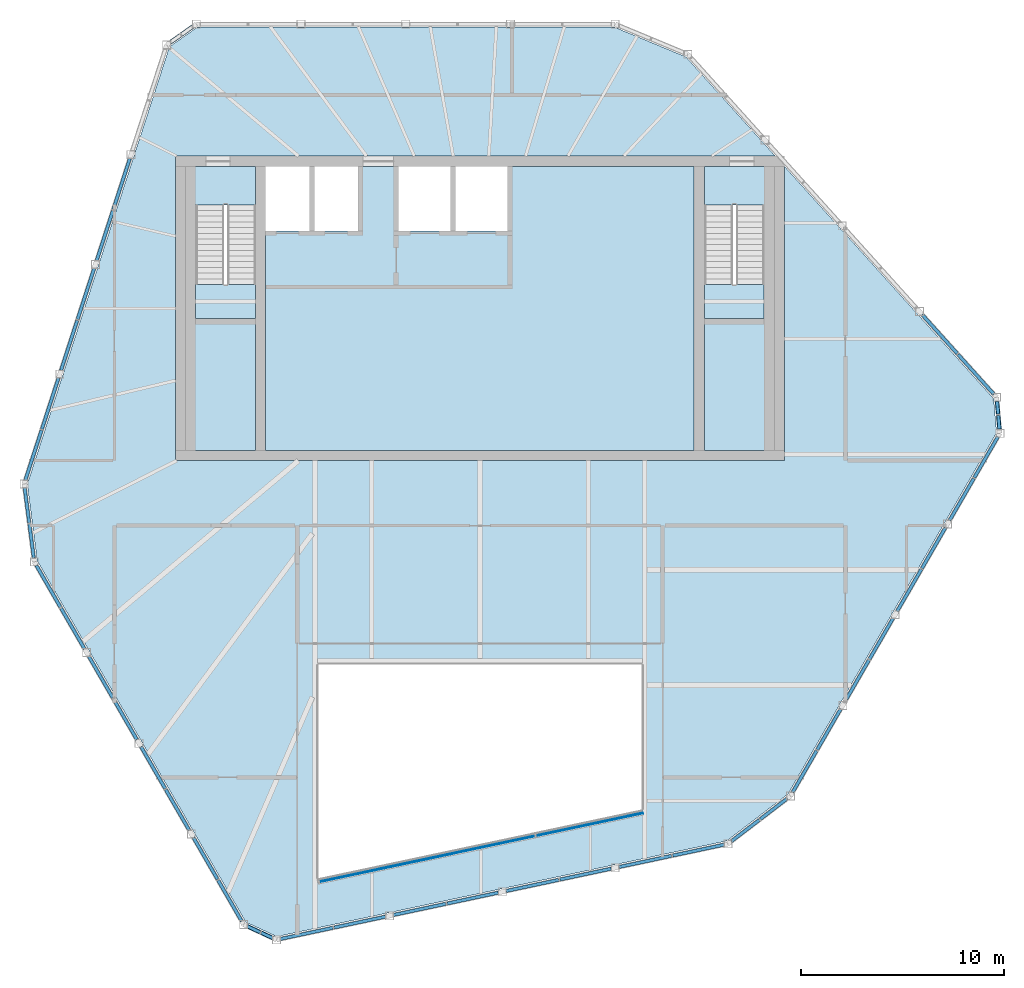
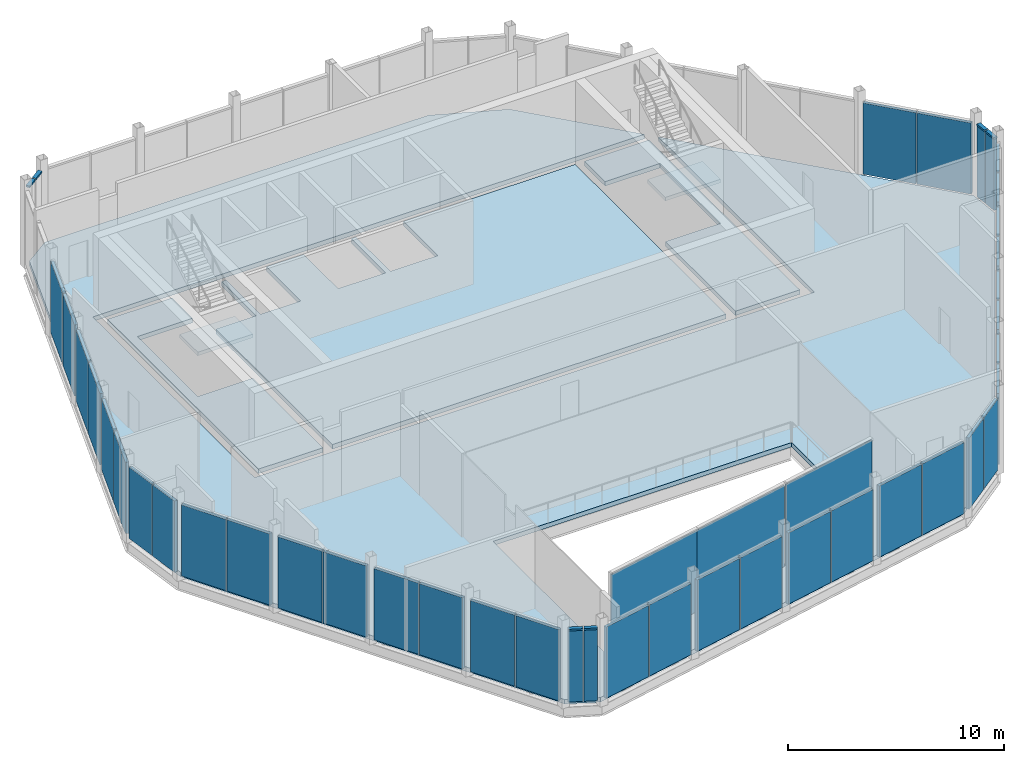
# One storey, part 7 of 12: 43 plates, 6 members, 6 slabs, 13 elements without a shape of their own.
"""IFC4 building model written with IfcOpenShell, lengths in metres."""

from ifc_helpers import new_model, si_unit, direction, frame, origin, origin_2d, place, context, subcontext, project, spatial, polyline, rectangle, outline, extrude, material, layer, layer_set, material_profile, profile_set, type_object, element, aggregate, save


model = new_model("IFC4")

# Units and contexts
model_context = context("Model", 3, precision=1e-05, world=origin(), true_north=direction((0.0, 1.0)))
body_context = subcontext(model_context, "Body", "Model", "MODEL_VIEW")
ifc_project = project(units=[si_unit("LENGTHUNIT", "METRE"), si_unit("AREAUNIT", "SQUARE_METRE"), si_unit("VOLUMEUNIT", "CUBIC_METRE"), si_unit("PLANEANGLEUNIT", "RADIAN"), si_unit("MASSUNIT", "GRAM", prefix="KILO")], contexts=[model_context])

# Site, building, storey
site_placement = place(None, origin())
site = spatial("IfcSite", under=ifc_project, at=site_placement, CompositionType="ELEMENT")
building_placement = place(site_placement, origin())
building = spatial("IfcBuilding", under=site, at=building_placement, Name="Isthmus Gate Tower", CompositionType="ELEMENT")
storey_placement = place(building_placement, frame((0.0, 0.0, 306.10009765625)))
storey = spatial("IfcBuildingStorey", under=building, at=storey_placement, Name="C2", CompositionType="ELEMENT", Elevation=306.10009765625)

# Curtain wall, members
ifc_material_1 = material(Name="Aluminium, pale champagne anodised", Category="aluminium")
ifc_layer_1 = layer(ifc_material_1, 0.199951171875)
ifc_layer_set_1 = layer_set([ifc_layer_1], Name="CW-2 LOUVRE CURTAIN WALL 200 DEEP")
curtain_wall_type_1 = type_object("IfcCurtainWallType", Name="CW-2 LOUVRE CURTAIN WALL 200 DEEP", PredefinedType="NOTDEFINED", material=ifc_layer_set_1)
curtain_wall_1_placement = place(storey_placement, origin())
curtain_wall_1 = element("IfcCurtainWall", 1, at=curtain_wall_1_placement, inside=storey, type_object=curtain_wall_type_1, Name="CW-2 E01 C2", PredefinedType="NOTDEFINED")
ifc_material_2 = material(Name="Aluminium, pale champagne anodised", Category="aluminium")
ifc_material_profile = material_profile(ifc_material_2, rectangle(XDim=0.199951171875, YDim=0.10009765625, at=origin_2d()), Name="200x100")
ifc_profile_set = profile_set([ifc_material_profile], Name="Aluminium, pale champagne anodised")
member_type = type_object("IfcMemberType", Name="CW-2 TRANSOM 200 X 100", PredefinedType="USERDEFINED", material=ifc_profile_set)
member_1_placement = place(storey_placement, frame((-14.135498046875, 21.383056640625, 4.083984375), z_axis=(-0.818010863048, -0.575202771148, 0.0), x_axis=(0.575202771148, -0.818010863048, 0.0)))
member_1 = element("IfcMember", 2, at=member_1_placement, type_object=member_type, Name="CW-2 transom", ObjectType="TRANSOM", PredefinedType="USERDEFINED", context=body_context, shape_type="SweptSolid", body=[
    extrude(rectangle(XDim=0.199951171875, YDim=0.10009765625, at=origin_2d()), origin(), (0.0, 0.0, 1.0), 0.686767578125),
])
member_2_placement = place(storey_placement, frame((-14.74609375, 20.953369140625, 4.083984375), z_axis=(-0.817948972464, -0.575290777299, 0.0), x_axis=(0.575290777299, -0.817948972464, 0.0)))
member_2 = element("IfcMember", 3, at=member_2_placement, type_object=member_type, Name="CW-2 transom", ObjectType="TRANSOM", PredefinedType="USERDEFINED", context=body_context, shape_type="SweptSolid", body=[
    extrude(rectangle(XDim=0.199951171875, YDim=0.10009765625, at=origin_2d()), origin(), (0.0, 0.0, 1.0), 0.626708984375),
])
aggregate(curtain_wall_1, [member_1, member_2])

curtain_wall_2_placement = place(storey_placement, origin())
curtain_wall_2 = element("IfcCurtainWall", 4, at=curtain_wall_2_placement, inside=storey, type_object=curtain_wall_type_1, Name="CW-2 E05 C2", PredefinedType="NOTDEFINED")
member_3_placement = place(storey_placement, frame((-11.450439453125, -22.933349609375, 4.083984375), z_axis=(0.907198069931, -0.420703769788, 0.0), x_axis=(0.420703769788, 0.907198069931, 0.0)))
member_3 = element("IfcMember", 5, at=member_3_placement, type_object=member_type, Name="CW-2 transom", ObjectType="TRANSOM", PredefinedType="USERDEFINED", context=body_context, shape_type="SweptSolid", body=[
    extrude(rectangle(XDim=0.199951171875, YDim=0.10009765625, at=origin_2d()), origin(), (0.0, 0.0, 1.0), 0.6865234375),
])
member_4_placement = place(storey_placement, frame((-10.773193359375, -23.247314453125, 4.083984375), z_axis=(0.90720547109, -0.420687809694, 0.0), x_axis=(0.420687809694, 0.90720547109, 0.0)))
member_4 = element("IfcMember", 6, at=member_4_placement, type_object=member_type, Name="CW-2 transom", ObjectType="TRANSOM", PredefinedType="USERDEFINED", context=body_context, shape_type="SweptSolid", body=[
    extrude(rectangle(XDim=0.199951171875, YDim=0.10009765625, at=origin_2d()), origin(), (0.0, 0.0, 1.0), 0.626708984375),
])

curtain_wall_3_placement = place(storey_placement, origin())
curtain_wall_3 = element("IfcCurtainWall", 7, at=curtain_wall_3_placement, inside=storey, type_object=curtain_wall_type_1, Name="CW-2 E09 C2", PredefinedType="NOTDEFINED")
member_5_placement = place(storey_placement, frame((25.5859375, 1.55029296875, 4.083984375), z_axis=(-0.089253213464, 0.996008967774, 0.0), x_axis=(-0.996008967774, -0.089253213464, 0.0)))
member_5 = element("IfcMember", 8, at=member_5_placement, type_object=member_type, Name="CW-2 transom", ObjectType="TRANSOM", PredefinedType="USERDEFINED", context=body_context, shape_type="SweptSolid", body=[
    extrude(rectangle(XDim=0.199951171875, YDim=0.10009765625, at=origin_2d()), origin(), (0.0, 0.0, 1.0), 0.6865234375),
])
member_6_placement = place(storey_placement, frame((25.519287109375, 2.2939453125, 4.083984375), z_axis=(-0.089235685941, 0.996010538275, 0.0), x_axis=(-0.996010538275, -0.089235685941, 0.0)))
member_6 = element("IfcMember", 9, at=member_6_placement, type_object=member_type, Name="CW-2 transom", ObjectType="TRANSOM", PredefinedType="USERDEFINED", context=body_context, shape_type="SweptSolid", body=[
    extrude(rectangle(XDim=0.199951171875, YDim=0.10009765625, at=origin_2d()), origin(), (0.0, 0.0, 1.0), 0.62646484375),
])

# Slabs
ifc_material_3 = material(Name="Concrete f'c 40 MPa", Category="concrete")
ifc_layer_2 = layer(ifc_material_3, 0.25)
ifc_layer_set_2 = layer_set([ifc_layer_2], Name="CORE FLOOR SLAB 250")
slab_type_1 = type_object("IfcSlabType", Name="CORE FLOOR SLAB 250", PredefinedType="FLOOR", material=ifc_layer_set_2)
slab_1_placement = place(storey_placement, frame((0.0, 0.0, -0.25)))
element("IfcSlab", 10, at=slab_1_placement, inside=storey, type_object=slab_type_1, Name="C2 core floor", PredefinedType="FLOOR", context=body_context, shape_type="SweptSolid", body=[
    extrude(outline(polyline([(-11.050048828125, 0.5), (-11.050048828125, 7.0), (-14.0, 7.0), (-14.0, 12.597900390625), (-11.050048828125, 12.597900390625), (-11.050048828125, 14.5), (-14.5, 14.5), (-14.5, 0.5), (-11.050048828125, 0.5)])), origin(), (0.0, 0.0, 1.0), 0.25),
])
slab_2_placement = place(storey_placement, frame((0.0, 0.0, -0.25)))
element("IfcSlab", 11, at=slab_2_placement, inside=storey, type_object=slab_type_1, Name="C2 core floor", PredefinedType="FLOOR", context=body_context, shape_type="SweptSolid", body=[
    extrude(outline(polyline([(10.550048828125, 14.5), (1.35009765625, 14.5), (1.35009765625, 11.300048828125), (-1.199951171875, 11.300048828125), (-1.199951171875, 14.5), (-1.449951171875, 14.5), (-1.449951171875, 11.300048828125), (-4.0, 11.300048828125), (-4.0, 14.5), (-6.0, 14.5), (-6.0, 11.300048828125), (-8.14990234375, 11.300048828125), (-8.14990234375, 14.5), (-8.39990234375, 14.5), (-8.39990234375, 11.300048828125), (-10.550048828125, 11.300048828125), (-10.550048828125, 0.5), (10.550048828125, 0.5), (10.550048828125, 14.5)])), origin(), (0.0, 0.0, 1.0), 0.25),
])
slab_3_placement = place(storey_placement, frame((0.0, 0.0, -0.25)))
element("IfcSlab", 12, at=slab_3_placement, inside=storey, type_object=slab_type_1, Name="C2 core floor", PredefinedType="FLOOR", context=body_context, shape_type="SweptSolid", body=[
    extrude(outline(polyline([(11.050048828125, 14.5), (11.050048828125, 12.597900390625), (14.0, 12.597900390625), (14.0, 7.0), (11.050048828125, 7.0), (11.050048828125, 0.5), (14.5, 0.5), (14.5, 14.5), (11.050048828125, 14.5)])), origin(), (0.0, 0.0, 1.0), 0.25),
])
ifc_material_4 = material(Name="Concrete f'c 40 MPa", Category="concrete")
ifc_layer_3 = layer(ifc_material_4, 0.25)
ifc_layer_set_3 = layer_set([ifc_layer_3], Name="CROWN PLANT FLOOR SLAB 250")
slab_type_2 = type_object("IfcSlabType", Name="CROWN PLANT FLOOR SLAB 250", PredefinedType="FLOOR", material=ifc_layer_set_3)
slab_4_placement = place(storey_placement, frame((0.0, 0.0, -0.25)))
element("IfcSlab", 13, at=slab_4_placement, inside=storey, type_object=slab_type_2, Name="str-slab-C2-1", PredefinedType="FLOOR", context=body_context, shape_type="SweptSolid", body=[
    extrude(outline(polyline([(10.1455078125, 19.88818359375), (14.546875, 15.0), (-15.0, 15.0), (-15.0, 0.0), (15.0, 0.0), (15.0, 14.496826171875), (25.30029296875, 3.05712890625), (25.45068359375, 1.381591796875), (15.174560546875, -16.416748046875), (12.15087890625, -18.73046875), (-10.00244140625, -23.439208984375), (-11.52880859375, -22.731689453125), (-21.8046875, -4.93310546875), (-22.29638671875, -1.15771484375), (-15.297607421875, 20.382080078125), (-13.921875, 21.35009765625), (6.630126953125, 21.35009765625), (10.1455078125, 19.88818359375)]), holes=[polyline([(-8.0, -20.611083984375), (8.0, -17.210205078125), (8.0, -10.0), (-8.0, -10.0), (-8.0, -20.611083984375)])]), origin(), (0.0, 0.0, 1.0), 0.25),
])

# Curtain wall, plates
curtain_wall_4_placement = place(storey_placement, origin())
curtain_wall_4 = element("IfcCurtainWall", 14, at=curtain_wall_4_placement, inside=storey, type_object=curtain_wall_type_1, Name="CW-2 E02 C2", PredefinedType="NOTDEFINED")
ifc_material_5 = material(Name="Aluminium louvre blades, pale champagne anodised", Category="aluminium")
ifc_layer_4 = layer(ifc_material_5, 0.159912109375)
ifc_layer_set_4 = layer_set([ifc_layer_4], Name="CW-2 LOUVRE PANEL 160")
plate_type_1 = type_object("IfcPlateType", Name="CW-2 LOUVRE PANEL 160", PredefinedType="CURTAIN_PANEL", material=ifc_layer_set_4)
plate_1_placement = place(storey_placement, frame((-17.651611328125, 13.623046875, -0.000244140625), z_axis=(0.0, 0.0, 1.0), x_axis=(-0.309016994375, -0.951056516295, 0.0)))
plate_1 = element("IfcPlate", 15, at=plate_1_placement, type_object=plate_type_1, Name="CW-2 louvre panel", PredefinedType="CURTAIN_PANEL", context=body_context, shape_type="SweptSolid", body=[
    extrude(rectangle(XDim=2.638427734375, YDim=0.159912109375, at=origin_2d()), origin(), (0.0, 0.0, 1.0), 4.0341796875),
])
plate_2_placement = place(storey_placement, frame((-18.47607421875, 11.08544921875, -0.000244140625), z_axis=(0.0, 0.0, 1.0), x_axis=(-0.309016994375, -0.951056516295, 0.0)))
plate_2 = element("IfcPlate", 16, at=plate_2_placement, type_object=plate_type_1, Name="CW-2 louvre panel", PredefinedType="CURTAIN_PANEL", context=body_context, shape_type="SweptSolid", body=[
    extrude(rectangle(XDim=2.578369140625, YDim=0.159912109375, at=origin_2d()), origin(), (0.0, 0.0, 1.0), 4.0341796875),
])
plate_3_placement = place(storey_placement, frame((-19.40771484375, 8.21826171875, -0.000244140625), z_axis=(0.0, 0.0, 1.0), x_axis=(-0.309016994375, -0.951056516295, 0.0)))
plate_3 = element("IfcPlate", 17, at=plate_3_placement, type_object=plate_type_1, Name="CW-2 louvre panel", PredefinedType="CURTAIN_PANEL", context=body_context, shape_type="SweptSolid", body=[
    extrude(rectangle(XDim=2.638427734375, YDim=0.159912109375, at=origin_2d()), origin(), (0.0, 0.0, 1.0), 4.0341796875),
])
plate_4_placement = place(storey_placement, frame((-20.232177734375, 5.6806640625, -0.000244140625), z_axis=(0.0, 0.0, 1.0), x_axis=(-0.309016994375, -0.951056516295, 0.0)))
plate_4 = element("IfcPlate", 18, at=plate_4_placement, type_object=plate_type_1, Name="CW-2 louvre panel", PredefinedType="CURTAIN_PANEL", context=body_context, shape_type="SweptSolid", body=[
    extrude(rectangle(XDim=2.578369140625, YDim=0.159912109375, at=origin_2d()), origin(), (0.0, 0.0, 1.0), 4.0341796875),
])
plate_5_placement = place(storey_placement, frame((-21.163818359375, 2.8134765625, -0.000244140625), z_axis=(0.0, 0.0, 1.0), x_axis=(-0.309016994375, -0.951056516295, 0.0)))
plate_5 = element("IfcPlate", 19, at=plate_5_placement, type_object=plate_type_1, Name="CW-2 louvre panel", PredefinedType="CURTAIN_PANEL", context=body_context, shape_type="SweptSolid", body=[
    extrude(rectangle(XDim=2.638427734375, YDim=0.159912109375, at=origin_2d()), origin(), (0.0, 0.0, 1.0), 4.0341796875),
])
plate_6_placement = place(storey_placement, frame((-21.98828125, 0.275634765625, -0.000244140625), z_axis=(0.0, 0.0, 1.0), x_axis=(-0.309016994375, -0.951056516295, 0.0)))
plate_6 = element("IfcPlate", 20, at=plate_6_placement, type_object=plate_type_1, Name="CW-2 louvre panel", PredefinedType="CURTAIN_PANEL", context=body_context, shape_type="SweptSolid", body=[
    extrude(rectangle(XDim=2.578369140625, YDim=0.159912109375, at=origin_2d()), origin(), (0.0, 0.0, 1.0), 4.0341796875),
])
aggregate(curtain_wall_4, [plate_1, plate_2, plate_3, plate_4, plate_5, plate_6])

curtain_wall_5_placement = place(storey_placement, origin())
curtain_wall_5 = element("IfcCurtainWall", 21, at=curtain_wall_5_placement, inside=storey, type_object=curtain_wall_type_1, Name="CW-2 E03 C2", PredefinedType="NOTDEFINED")
plate_7_placement = place(storey_placement, frame((-22.3115234375, -2.2041015625, -0.000244140625), z_axis=(0.0, 0.0, 1.0), x_axis=(0.129164534, -0.991623175988, 0.0)))
plate_7 = element("IfcPlate", 22, at=plate_7_placement, type_object=plate_type_1, Name="CW-2 louvre panel", PredefinedType="CURTAIN_PANEL", context=body_context, shape_type="SweptSolid", body=[
    extrude(rectangle(XDim=1.732421875, YDim=0.159912109375, at=origin_2d()), origin(), (0.0, 0.0, 1.0), 4.0341796875),
])
plate_8_placement = place(storey_placement, frame((-22.083740234375, -3.95166015625, -0.000244140625), z_axis=(0.0, 0.0, 1.0), x_axis=(0.129164534, -0.991623175988, 0.0)))
plate_8 = element("IfcPlate", 23, at=plate_8_placement, type_object=plate_type_1, Name="CW-2 louvre panel", PredefinedType="CURTAIN_PANEL", context=body_context, shape_type="SweptSolid", body=[
    extrude(rectangle(XDim=1.67236328125, YDim=0.159912109375, at=origin_2d()), origin(), (0.0, 0.0, 1.0), 4.0341796875),
])
aggregate(curtain_wall_5, [plate_7, plate_8])

curtain_wall_6_placement = place(storey_placement, origin())
curtain_wall_6 = element("IfcCurtainWall", 24, at=curtain_wall_6_placement, inside=storey, type_object=curtain_wall_type_1, Name="CW-2 E04 C2", PredefinedType="NOTDEFINED")
plate_9_placement = place(storey_placement, frame((-21.254150390625, -6.186767578125, -0.000244140625), z_axis=(0.0, 0.0, 1.0), x_axis=(0.5, -0.866025403784, 0.0)))
plate_9 = element("IfcPlate", 25, at=plate_9_placement, type_object=plate_type_1, Name="CW-2 louvre panel", PredefinedType="CURTAIN_PANEL", context=body_context, shape_type="SweptSolid", body=[
    extrude(rectangle(XDim=2.37548828125, YDim=0.159912109375, at=origin_2d()), origin(), (0.0, 0.0, 1.0), 4.0341796875),
])
plate_10_placement = place(storey_placement, frame((-20.05126953125, -8.27001953125, -0.000244140625), z_axis=(0.0, 0.0, 1.0), x_axis=(0.5, -0.866025403784, 0.0)))
plate_10 = element("IfcPlate", 26, at=plate_10_placement, type_object=plate_type_1, Name="CW-2 louvre panel", PredefinedType="CURTAIN_PANEL", context=body_context, shape_type="SweptSolid", body=[
    extrude(rectangle(XDim=2.3154296875, YDim=0.159912109375, at=origin_2d()), origin(), (0.0, 0.0, 1.0), 4.0341796875),
])
plate_11_placement = place(storey_placement, frame((-18.67529296875, -10.6533203125, -0.000244140625), z_axis=(0.0, 0.0, 1.0), x_axis=(0.5, -0.866025403784, 0.0)))
plate_11 = element("IfcPlate", 27, at=plate_11_placement, type_object=plate_type_1, Name="CW-2 louvre panel", PredefinedType="CURTAIN_PANEL", context=body_context, shape_type="SweptSolid", body=[
    extrude(rectangle(XDim=2.37548828125, YDim=0.159912109375, at=origin_2d()), origin(), (0.0, 0.0, 1.0), 4.0341796875),
])
plate_12_placement = place(storey_placement, frame((-17.47265625, -12.736328125, -0.000244140625), z_axis=(0.0, 0.0, 1.0), x_axis=(0.5, -0.866025403784, 0.0)))
plate_12 = element("IfcPlate", 28, at=plate_12_placement, type_object=plate_type_1, Name="CW-2 louvre panel", PredefinedType="CURTAIN_PANEL", context=body_context, shape_type="SweptSolid", body=[
    extrude(rectangle(XDim=2.3154296875, YDim=0.159912109375, at=origin_2d()), origin(), (0.0, 0.0, 1.0), 4.0341796875),
])
plate_13_placement = place(storey_placement, frame((-16.0966796875, -15.11962890625, -0.000244140625), z_axis=(0.0, 0.0, 1.0), x_axis=(0.5, -0.866025403784, 0.0)))
plate_13 = element("IfcPlate", 29, at=plate_13_placement, type_object=plate_type_1, Name="CW-2 louvre panel", PredefinedType="CURTAIN_PANEL", context=body_context, shape_type="SweptSolid", body=[
    extrude(rectangle(XDim=2.37548828125, YDim=0.159912109375, at=origin_2d()), origin(), (0.0, 0.0, 1.0), 4.0341796875),
])
plate_14_placement = place(storey_placement, frame((-14.89404296875, -17.202880859375, -0.000244140625), z_axis=(0.0, 0.0, 1.0), x_axis=(0.5, -0.866025403784, 0.0)))
plate_14 = element("IfcPlate", 30, at=plate_14_placement, type_object=plate_type_1, Name="CW-2 louvre panel", PredefinedType="CURTAIN_PANEL", context=body_context, shape_type="SweptSolid", body=[
    extrude(rectangle(XDim=2.3154296875, YDim=0.159912109375, at=origin_2d()), origin(), (0.0, 0.0, 1.0), 4.0341796875),
])
plate_15_placement = place(storey_placement, frame((-13.51806640625, -19.5859375, -0.000244140625), z_axis=(0.0, 0.0, 1.0), x_axis=(0.5, -0.866025403784, 0.0)))
plate_15 = element("IfcPlate", 31, at=plate_15_placement, type_object=plate_type_1, Name="CW-2 louvre panel", PredefinedType="CURTAIN_PANEL", context=body_context, shape_type="SweptSolid", body=[
    extrude(rectangle(XDim=2.37548828125, YDim=0.159912109375, at=origin_2d()), origin(), (0.0, 0.0, 1.0), 4.0341796875),
])
plate_16_placement = place(storey_placement, frame((-12.3154296875, -21.669189453125, -0.000244140625), z_axis=(0.0, 0.0, 1.0), x_axis=(0.5, -0.866025403784, 0.0)))
plate_16 = element("IfcPlate", 32, at=plate_16_placement, type_object=plate_type_1, Name="CW-2 louvre panel", PredefinedType="CURTAIN_PANEL", context=body_context, shape_type="SweptSolid", body=[
    extrude(rectangle(XDim=2.3154296875, YDim=0.159912109375, at=origin_2d()), origin(), (0.0, 0.0, 1.0), 4.0341796875),
])
aggregate(curtain_wall_6, [plate_9, plate_10, plate_11, plate_12, plate_13, plate_14, plate_15, plate_16])

# Plate
plate_17_placement = place(storey_placement, frame((-11.138916015625, -23.07763671875, -0.000244140625), z_axis=(0.0, 0.0, 1.0), x_axis=(0.907256261367, -0.420578264073, 0.0)))
plate_17 = element("IfcPlate", 33, at=plate_17_placement, type_object=plate_type_1, Name="CW-2 louvre panel", PredefinedType="CURTAIN_PANEL", context=body_context, shape_type="SweptSolid", body=[
    extrude(rectangle(XDim=0.686767578125, YDim=0.159912109375, at=origin_2d()), origin(), (0.0, 0.0, 1.0), 4.0341796875),
])

plate_18_placement = place(storey_placement, frame((-10.48876953125, -23.379150390625, -0.000244140625), z_axis=(0.0, 0.0, 1.0), x_axis=(0.907256261367, -0.420578264073, 0.0)))
plate_18 = element("IfcPlate", 34, at=plate_18_placement, type_object=plate_type_1, Name="CW-2 louvre panel", PredefinedType="CURTAIN_PANEL", context=body_context, shape_type="SweptSolid", body=[
    extrude(rectangle(XDim=0.626708984375, YDim=0.159912109375, at=origin_2d()), origin(), (0.0, 0.0, 1.0), 4.0341796875),
])

aggregate(curtain_wall_2, [member_3, plate_17, member_4, plate_18])

# Curtain wall, plates
curtain_wall_7_placement = place(storey_placement, origin())
curtain_wall_7 = element("IfcCurtainWall", 35, at=curtain_wall_7_placement, inside=storey, type_object=curtain_wall_type_1, Name="CW-2 E06 C2", PredefinedType="NOTDEFINED")
plate_19_placement = place(storey_placement, frame((-8.531005859375, -23.27978515625, -0.000244140625), z_axis=(0.0, 0.0, 1.0), x_axis=(0.978147600734, 0.207911690818, 0.0)))
plate_19 = element("IfcPlate", 36, at=plate_19_placement, type_object=plate_type_1, Name="CW-2 louvre panel", PredefinedType="CURTAIN_PANEL", context=body_context, shape_type="SweptSolid", body=[
    extrude(rectangle(XDim=2.638427734375, YDim=0.159912109375, at=origin_2d()), origin(), (0.0, 0.0, 1.0), 4.0341796875),
])
plate_20_placement = place(storey_placement, frame((-5.921142578125, -22.72509765625, -0.000244140625), z_axis=(0.0, 0.0, 1.0), x_axis=(0.978147600734, 0.207911690818, 0.0)))
plate_20 = element("IfcPlate", 37, at=plate_20_placement, type_object=plate_type_1, Name="CW-2 louvre panel", PredefinedType="CURTAIN_PANEL", context=body_context, shape_type="SweptSolid", body=[
    extrude(rectangle(XDim=2.578369140625, YDim=0.159912109375, at=origin_2d()), origin(), (0.0, 0.0, 1.0), 4.0341796875),
])
plate_21_placement = place(storey_placement, frame((-2.97216796875, -22.09814453125, -0.000244140625), z_axis=(0.0, 0.0, 1.0), x_axis=(0.978147600734, 0.207911690818, 0.0)))
plate_21 = element("IfcPlate", 38, at=plate_21_placement, type_object=plate_type_1, Name="CW-2 louvre panel", PredefinedType="CURTAIN_PANEL", context=body_context, shape_type="SweptSolid", body=[
    extrude(rectangle(XDim=2.638427734375, YDim=0.159912109375, at=origin_2d()), origin(), (0.0, 0.0, 1.0), 4.0341796875),
])
plate_22_placement = place(storey_placement, frame((-0.3623046875, -21.54345703125, -0.000244140625), z_axis=(0.0, 0.0, 1.0), x_axis=(0.978147600734, 0.207911690818, 0.0)))
plate_22 = element("IfcPlate", 39, at=plate_22_placement, type_object=plate_type_1, Name="CW-2 louvre panel", PredefinedType="CURTAIN_PANEL", context=body_context, shape_type="SweptSolid", body=[
    extrude(rectangle(XDim=2.578369140625, YDim=0.159912109375, at=origin_2d()), origin(), (0.0, 0.0, 1.0), 4.0341796875),
])
plate_23_placement = place(storey_placement, frame((2.586669921875, -20.916748046875, -0.000244140625), z_axis=(0.0, 0.0, 1.0), x_axis=(0.978147600734, 0.207911690818, 0.0)))
plate_23 = element("IfcPlate", 40, at=plate_23_placement, type_object=plate_type_1, Name="CW-2 louvre panel", PredefinedType="CURTAIN_PANEL", context=body_context, shape_type="SweptSolid", body=[
    extrude(rectangle(XDim=2.638427734375, YDim=0.159912109375, at=origin_2d()), origin(), (0.0, 0.0, 1.0), 4.0341796875),
])
plate_24_placement = place(storey_placement, frame((5.196533203125, -20.36181640625, -0.000244140625), z_axis=(0.0, 0.0, 1.0), x_axis=(0.978147600734, 0.207911690818, 0.0)))
plate_24 = element("IfcPlate", 41, at=plate_24_placement, type_object=plate_type_1, Name="CW-2 louvre panel", PredefinedType="CURTAIN_PANEL", context=body_context, shape_type="SweptSolid", body=[
    extrude(rectangle(XDim=2.578369140625, YDim=0.159912109375, at=origin_2d()), origin(), (0.0, 0.0, 1.0), 4.0341796875),
])
plate_25_placement = place(storey_placement, frame((8.1455078125, -19.735107421875, -0.000244140625), z_axis=(0.0, 0.0, 1.0), x_axis=(0.978147600734, 0.207911690818, 0.0)))
plate_25 = element("IfcPlate", 42, at=plate_25_placement, type_object=plate_type_1, Name="CW-2 louvre panel", PredefinedType="CURTAIN_PANEL", context=body_context, shape_type="SweptSolid", body=[
    extrude(rectangle(XDim=2.638427734375, YDim=0.159912109375, at=origin_2d()), origin(), (0.0, 0.0, 1.0), 4.0341796875),
])
plate_26_placement = place(storey_placement, frame((10.75537109375, -19.180419921875, -0.000244140625), z_axis=(0.0, 0.0, 1.0), x_axis=(0.978147600734, 0.207911690818, 0.0)))
plate_26 = element("IfcPlate", 43, at=plate_26_placement, type_object=plate_type_1, Name="CW-2 louvre panel", PredefinedType="CURTAIN_PANEL", context=body_context, shape_type="SweptSolid", body=[
    extrude(rectangle(XDim=2.578369140625, YDim=0.159912109375, at=origin_2d()), origin(), (0.0, 0.0, 1.0), 4.0341796875),
])
aggregate(curtain_wall_7, [plate_19, plate_20, plate_21, plate_22, plate_23, plate_24, plate_25, plate_26])

curtain_wall_8_placement = place(storey_placement, origin())
curtain_wall_8 = element("IfcCurtainWall", 44, at=curtain_wall_8_placement, inside=storey, type_object=curtain_wall_type_1, Name="CW-2 E07 C2", PredefinedType="NOTDEFINED")
plate_27_placement = place(storey_placement, frame((13.064453125, -18.22021484375, -0.000244140625), z_axis=(0.0, 0.0, 1.0), x_axis=(0.794188594387, 0.607671355706, 0.0)))
plate_27 = element("IfcPlate", 45, at=plate_27_placement, type_object=plate_type_1, Name="CW-2 louvre panel", PredefinedType="CURTAIN_PANEL", context=body_context, shape_type="SweptSolid", body=[
    extrude(rectangle(XDim=1.732421875, YDim=0.159912109375, at=origin_2d()), origin(), (0.0, 0.0, 1.0), 4.0341796875),
])
plate_28_placement = place(storey_placement, frame((14.464111328125, -17.1494140625, -0.000244140625), z_axis=(0.0, 0.0, 1.0), x_axis=(0.794188594387, 0.607671355706, 0.0)))
plate_28 = element("IfcPlate", 46, at=plate_28_placement, type_object=plate_type_1, Name="CW-2 louvre panel", PredefinedType="CURTAIN_PANEL", context=body_context, shape_type="SweptSolid", body=[
    extrude(rectangle(XDim=1.67236328125, YDim=0.159912109375, at=origin_2d()), origin(), (0.0, 0.0, 1.0), 4.0341796875),
])
aggregate(curtain_wall_8, [plate_27, plate_28])

curtain_wall_9_placement = place(storey_placement, origin())
curtain_wall_9 = element("IfcCurtainWall", 47, at=curtain_wall_9_placement, inside=storey, type_object=curtain_wall_type_1, Name="CW-2 E08 C2", PredefinedType="NOTDEFINED")
plate_29_placement = place(storey_placement, frame((15.985107421875, -15.313232421875, -0.000244140625), z_axis=(0.0, 0.0, 1.0), x_axis=(0.5, 0.866025403784, 0.0)))
plate_29 = element("IfcPlate", 48, at=plate_29_placement, type_object=plate_type_1, Name="CW-2 louvre panel", PredefinedType="CURTAIN_PANEL", context=body_context, shape_type="SweptSolid", body=[
    extrude(rectangle(XDim=2.37548828125, YDim=0.159912109375, at=origin_2d()), origin(), (0.0, 0.0, 1.0), 4.0341796875),
])
plate_30_placement = place(storey_placement, frame((17.187744140625, -13.22998046875, -0.000244140625), z_axis=(0.0, 0.0, 1.0), x_axis=(0.5, 0.866025403784, 0.0)))
plate_30 = element("IfcPlate", 49, at=plate_30_placement, type_object=plate_type_1, Name="CW-2 louvre panel", PredefinedType="CURTAIN_PANEL", context=body_context, shape_type="SweptSolid", body=[
    extrude(rectangle(XDim=2.3154296875, YDim=0.159912109375, at=origin_2d()), origin(), (0.0, 0.0, 1.0), 4.0341796875),
])
plate_31_placement = place(storey_placement, frame((18.563720703125, -10.8466796875, -0.000244140625), z_axis=(0.0, 0.0, 1.0), x_axis=(0.5, 0.866025403784, 0.0)))
plate_31 = element("IfcPlate", 50, at=plate_31_placement, type_object=plate_type_1, Name="CW-2 louvre panel", PredefinedType="CURTAIN_PANEL", context=body_context, shape_type="SweptSolid", body=[
    extrude(rectangle(XDim=2.37548828125, YDim=0.159912109375, at=origin_2d()), origin(), (0.0, 0.0, 1.0), 4.0341796875),
])
plate_32_placement = place(storey_placement, frame((19.766357421875, -8.763671875, -0.000244140625), z_axis=(0.0, 0.0, 1.0), x_axis=(0.5, 0.866025403784, 0.0)))
plate_32 = element("IfcPlate", 51, at=plate_32_placement, type_object=plate_type_1, Name="CW-2 louvre panel", PredefinedType="CURTAIN_PANEL", context=body_context, shape_type="SweptSolid", body=[
    extrude(rectangle(XDim=2.3154296875, YDim=0.159912109375, at=origin_2d()), origin(), (0.0, 0.0, 1.0), 4.0341796875),
])
plate_33_placement = place(storey_placement, frame((21.142333984375, -6.38037109375, -0.000244140625), z_axis=(0.0, 0.0, 1.0), x_axis=(0.5, 0.866025403784, 0.0)))
plate_33 = element("IfcPlate", 52, at=plate_33_placement, type_object=plate_type_1, Name="CW-2 louvre panel", PredefinedType="CURTAIN_PANEL", context=body_context, shape_type="SweptSolid", body=[
    extrude(rectangle(XDim=2.37548828125, YDim=0.159912109375, at=origin_2d()), origin(), (0.0, 0.0, 1.0), 4.0341796875),
])
plate_34_placement = place(storey_placement, frame((22.344970703125, -4.297119140625, -0.000244140625), z_axis=(0.0, 0.0, 1.0), x_axis=(0.5, 0.866025403784, 0.0)))
plate_34 = element("IfcPlate", 53, at=plate_34_placement, type_object=plate_type_1, Name="CW-2 louvre panel", PredefinedType="CURTAIN_PANEL", context=body_context, shape_type="SweptSolid", body=[
    extrude(rectangle(XDim=2.3154296875, YDim=0.159912109375, at=origin_2d()), origin(), (0.0, 0.0, 1.0), 4.0341796875),
])
plate_35_placement = place(storey_placement, frame((23.720947265625, -1.9140625, -0.000244140625), z_axis=(0.0, 0.0, 1.0), x_axis=(0.5, 0.866025403784, 0.0)))
plate_35 = element("IfcPlate", 54, at=plate_35_placement, type_object=plate_type_1, Name="CW-2 louvre panel", PredefinedType="CURTAIN_PANEL", context=body_context, shape_type="SweptSolid", body=[
    extrude(rectangle(XDim=2.37548828125, YDim=0.159912109375, at=origin_2d()), origin(), (0.0, 0.0, 1.0), 4.0341796875),
])
plate_36_placement = place(storey_placement, frame((24.923828125, 0.169189453125, -0.000244140625), z_axis=(0.0, 0.0, 1.0), x_axis=(0.5, 0.866025403784, 0.0)))
plate_36 = element("IfcPlate", 55, at=plate_36_placement, type_object=plate_type_1, Name="CW-2 louvre panel", PredefinedType="CURTAIN_PANEL", context=body_context, shape_type="SweptSolid", body=[
    extrude(rectangle(XDim=2.3154296875, YDim=0.159912109375, at=origin_2d()), origin(), (0.0, 0.0, 1.0), 4.0341796875),
])
aggregate(curtain_wall_9, [plate_29, plate_30, plate_31, plate_32, plate_33, plate_34, plate_35, plate_36])

# Plate
plate_37_placement = place(storey_placement, frame((25.555419921875, 1.89208984375, -0.000244140625), z_axis=(0.0, 0.0, 1.0), x_axis=(-0.089396669717, 0.995996102123, 0.0)))
plate_37 = element("IfcPlate", 56, at=plate_37_placement, type_object=plate_type_1, Name="CW-2 louvre panel", PredefinedType="CURTAIN_PANEL", context=body_context, shape_type="SweptSolid", body=[
    extrude(rectangle(XDim=0.686767578125, YDim=0.159912109375, at=origin_2d()), origin(), (0.0, 0.0, 1.0), 4.0341796875),
])

plate_38_placement = place(storey_placement, frame((25.4912109375, 2.60595703125, -0.000244140625), z_axis=(0.0, 0.0, 1.0), x_axis=(-0.089396669717, 0.995996102123, 0.0)))
plate_38 = element("IfcPlate", 57, at=plate_38_placement, type_object=plate_type_1, Name="CW-2 louvre panel", PredefinedType="CURTAIN_PANEL", context=body_context, shape_type="SweptSolid", body=[
    extrude(rectangle(XDim=0.626708984375, YDim=0.159912109375, at=origin_2d()), origin(), (0.0, 0.0, 1.0), 4.0341796875),
])

aggregate(curtain_wall_3, [member_5, plate_37, member_6, plate_38])

# Curtain wall, plates
curtain_wall_10_placement = place(storey_placement, origin())
curtain_wall_10 = element("IfcCurtainWall", 58, at=curtain_wall_10_placement, inside=storey, type_object=curtain_wall_type_1, Name="CW-2 E10 C2", PredefinedType="NOTDEFINED")
plate_39_placement = place(storey_placement, frame((24.426513671875, 4.251708984375, -0.000244140625), z_axis=(0.0, 0.0, 1.0), x_axis=(-0.669130606359, 0.743144825477, 0.0)))
plate_39 = element("IfcPlate", 59, at=plate_39_placement, type_object=plate_type_1, Name="CW-2 louvre panel", PredefinedType="CURTAIN_PANEL", context=body_context, shape_type="SweptSolid", body=[
    extrude(rectangle(XDim=2.638427734375, YDim=0.159912109375, at=origin_2d()), origin(), (0.0, 0.0, 1.0), 4.0341796875),
])
plate_40_placement = place(storey_placement, frame((22.64111328125, 6.234619140625, -0.000244140625), z_axis=(0.0, 0.0, 1.0), x_axis=(-0.669130606359, 0.743144825477, 0.0)))
plate_40 = element("IfcPlate", 60, at=plate_40_placement, type_object=plate_type_1, Name="CW-2 louvre panel", PredefinedType="CURTAIN_PANEL", context=body_context, shape_type="SweptSolid", body=[
    extrude(rectangle(XDim=2.578369140625, YDim=0.159912109375, at=origin_2d()), origin(), (0.0, 0.0, 1.0), 4.0341796875),
])
aggregate(curtain_wall_10, [plate_39, plate_40])

ifc_material_6 = material(Name="Aluminium, pale champagne anodised", Category="aluminium")
ifc_layer_5 = layer(ifc_material_6, 0.199951171875)
ifc_layer_set_5 = layer_set([ifc_layer_5], Name="CW-4 ATRIUM CURTAIN WALL 200 DEEP")
curtain_wall_type_2 = type_object("IfcCurtainWallType", Name="CW-4 ATRIUM CURTAIN WALL 200 DEEP", PredefinedType="NOTDEFINED", material=ifc_layer_set_5)
curtain_wall_11_placement = place(storey_placement, origin())
curtain_wall_11 = element("IfcCurtainWall", 61, at=curtain_wall_11_placement, inside=storey, type_object=curtain_wall_type_2, Name="CW-4 atrium south C2", PredefinedType="NOTDEFINED")
ifc_material_7 = material(Name="Laminated low-iron glass, clear", Category="glass")
ifc_layer_6 = layer(ifc_material_7, 0.0439453125)
ifc_layer_set_6 = layer_set([ifc_layer_6], Name="CW-4 ATRIUM GLASS PANEL 44")
plate_type_2 = type_object("IfcPlateType", Name="CW-4 ATRIUM GLASS PANEL 44", PredefinedType="CURTAIN_PANEL", material=ifc_layer_set_6)
plate_41_placement = place(storey_placement, frame((-5.262939453125, -20.1826171875, -0.000244140625), z_axis=(0.0, 0.0, 1.0), x_axis=(0.978147600734, 0.207911690818, 0.0)))
plate_41 = element("IfcPlate", 62, at=plate_41_placement, type_object=plate_type_2, Name="CW-4 louvre panel", PredefinedType="CURTAIN_PANEL", context=body_context, shape_type="SweptSolid", body=[
    extrude(rectangle(XDim=5.37255859375, YDim=0.0439453125, at=origin_2d()), origin(), (0.0, 0.0, 1.0), 4.60009765625),
])
plate_42_placement = place(storey_placement, frame((0.03125, -19.057373046875, -0.000244140625), z_axis=(0.0, 0.0, 1.0), x_axis=(0.978147600734, 0.207911690818, 0.0)))
plate_42 = element("IfcPlate", 63, at=plate_42_placement, type_object=plate_type_2, Name="CW-4 louvre panel", PredefinedType="CURTAIN_PANEL", context=body_context, shape_type="SweptSolid", body=[
    extrude(rectangle(XDim=5.452392578125, YDim=0.0439453125, at=origin_2d()), origin(), (0.0, 0.0, 1.0), 4.60009765625),
])
plate_43_placement = place(storey_placement, frame((5.403564453125, -17.91552734375, -0.000244140625), z_axis=(0.0, 0.0, 1.0), x_axis=(0.978147600734, 0.207911690818, 0.0)))
plate_43 = element("IfcPlate", 64, at=plate_43_placement, type_object=plate_type_2, Name="CW-4 louvre panel", PredefinedType="CURTAIN_PANEL", context=body_context, shape_type="SweptSolid", body=[
    extrude(rectangle(XDim=5.37255859375, YDim=0.0439453125, at=origin_2d()), origin(), (0.0, 0.0, 1.0), 4.60009765625),
])
aggregate(curtain_wall_11, [plate_41, plate_42, plate_43])

# Stair, slab
ifc_material_8 = material(Name="Concrete f'c 40 MPa", Category="concrete")
stair_type = type_object("IfcStairType", Name="CORE STAIR 30 RISERS", PredefinedType="HALF_TURN_STAIR", material=ifc_material_8)
stair_1_placement = place(storey_placement, origin())
stair_1 = element("IfcStair", 65, at=stair_1_placement, inside=storey, type_object=stair_type, Name="C2 Exit Stair 1", PredefinedType="HALF_TURN_STAIR")
ifc_material_9 = material(Name="Concrete f'c 40 MPa", Category="concrete")
ifc_layer_7 = layer(ifc_material_9, 0.199951171875)
ifc_layer_set_7 = layer_set([ifc_layer_7])
slab_type_3 = type_object("IfcSlabType", Name="STAIR LANDING RC 200", PredefinedType="LANDING", material=ifc_layer_set_7)
slab_5_placement = place(storey_placement, frame((0.0, 0.0, 2.2998046875)))
slab_5 = element("IfcSlab", 66, at=slab_5_placement, type_object=slab_type_3, Name="ST1 landing 1", PredefinedType="LANDING", context=body_context, shape_type="SweptSolid", body=[
    extrude(outline(polyline([(-14.0, 8.679931640625), (-14.0, 7.0), (-11.050048828125, 7.0), (-11.050048828125, 8.679931640625), (-14.0, 8.679931640625)])), origin(), (0.0, 0.0, 1.0), 0.2001953125),
])
aggregate(stair_1, [slab_5])

stair_2_placement = place(storey_placement, origin())
stair_2 = element("IfcStair", 67, at=stair_2_placement, inside=storey, type_object=stair_type, Name="C2 Exit Stair 2", PredefinedType="HALF_TURN_STAIR")
slab_6_placement = place(storey_placement, frame((0.0, 0.0, 2.2998046875)))
slab_6 = element("IfcSlab", 68, at=slab_6_placement, type_object=slab_type_3, Name="ST2 landing 1", PredefinedType="LANDING", context=body_context, shape_type="SweptSolid", body=[
    extrude(outline(polyline([(11.050048828125, 8.679931640625), (11.050048828125, 7.0), (14.0, 7.0), (14.0, 8.679931640625), (11.050048828125, 8.679931640625)])), origin(), (0.0, 0.0, 1.0), 0.2001953125),
])
aggregate(stair_2, [slab_6])

save(model, "model.ifc")
